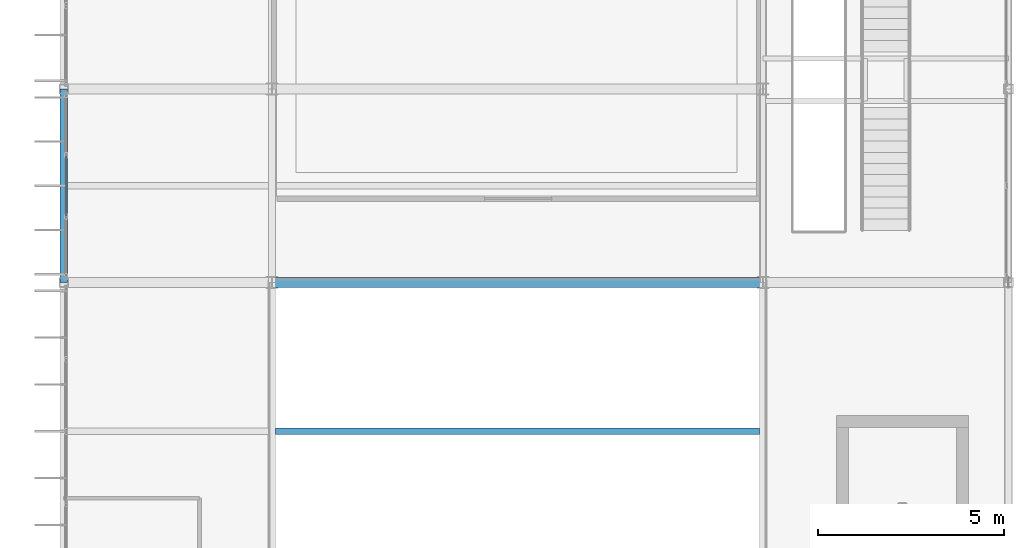
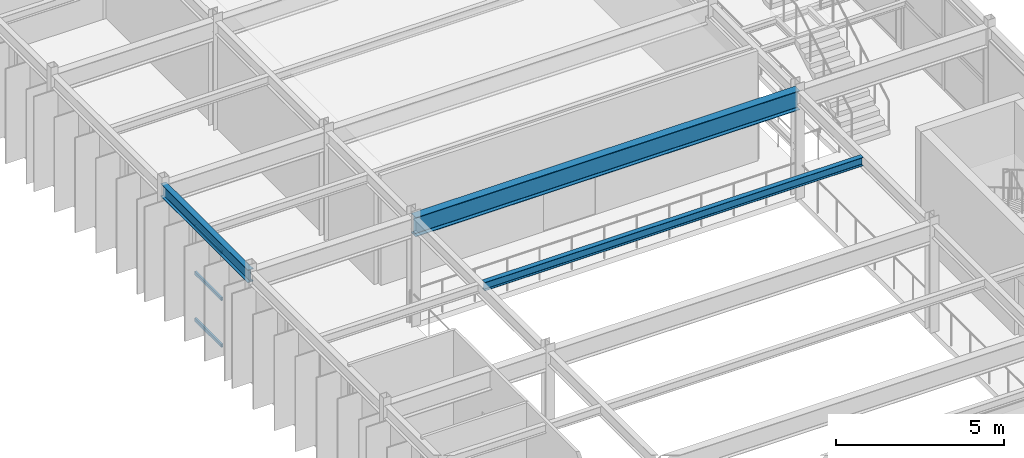
# One storey, part 37 of 147: 3 beams, 3 members, 1 element without a shape of its own.
"""IFC4 building model written with IfcOpenShell, lengths in metres."""

from ifc_helpers import new_model, si_unit, direction, frame, origin, origin_2d, place, context, subcontext, project, spatial, hollow_rectangle, i_section, extrude, material, material_profile, profile_set, type_object, element, aggregate, save


model = new_model("IFC4")

# Units and contexts
model_context = context("Model", 3, precision=1e-05, world=origin(), true_north=direction((0.0, 1.0)))
body_context = subcontext(model_context, "Body", "Model", "MODEL_VIEW")
ifc_project = project(units=[si_unit("LENGTHUNIT", "METRE"), si_unit("AREAUNIT", "SQUARE_METRE"), si_unit("VOLUMEUNIT", "CUBIC_METRE"), si_unit("PLANEANGLEUNIT", "RADIAN"), si_unit("MASSUNIT", "GRAM", prefix="KILO")], contexts=[model_context])

# Site, building, storey
site_placement = place(None, origin())
site = spatial("IfcSite", under=ifc_project, at=site_placement, CompositionType="ELEMENT")
building_placement = place(site_placement, origin())
building = spatial("IfcBuilding", under=site, at=building_placement, Name="Karori Crest Natural Sciences Institute", CompositionType="ELEMENT")
storey_placement = place(building_placement, frame((0.0, 0.0, 9.10009765625)))
storey = spatial("IfcBuildingStorey", under=building, at=storey_placement, Name="L02", CompositionType="ELEMENT", Elevation=9.10009765625)

# Beams
ifc_material_1 = material(Name="Structural steel AS/NZS 3679.1 Grade 350", Category="steel")
ifc_material_profile_1 = material_profile(ifc_material_1, i_section(OverallWidth=0.27490234375, OverallDepth=0.699951171875, WebThickness=0.010009765625, FlangeThickness=0.02001953125, FilletRadius=0.013916015625, at=origin_2d()), Name="700WB150")
ifc_profile_set_1 = profile_set([ifc_material_profile_1], Name="Structural steel AS/NZS 3679.1 Grade 350")
beam_type_1 = type_object("IfcBeamType", Name="BT-03", PredefinedType="BEAM", material=ifc_profile_set_1)
beam_1_placement = place(storey_placement, frame((7.39990234375, 55.0, 3.56982421875), z_axis=(1.0, 0.0, 0.0), x_axis=(0.0, 1.0, 0.0)))
element("IfcBeam", 1, at=beam_1_placement, inside=storey, type_object=beam_type_1, Name="Beam B-1086", PredefinedType="BEAM", context=body_context, shape_type="SweptSolid", body=[
    extrude(i_section(OverallWidth=0.27490234375, OverallDepth=0.699951171875, WebThickness=0.010009765625, FlangeThickness=0.02001953125, FilletRadius=0.013916015625, at=origin_2d()), origin(), (0.0, 0.0, 1.0), 13.2001953125),
])
ifc_material_profile_2 = material_profile(ifc_material_1, i_section(OverallWidth=0.19091796875, OverallDepth=0.4599609375, WebThickness=0.010009765625, FlangeThickness=0.01611328125, FilletRadius=0.010986328125, at=origin_2d()), Name="460UB82.1")
ifc_profile_set_2 = profile_set([ifc_material_profile_2], Name="Structural steel AS/NZS 3679.1 Grade 350")
beam_type_2 = type_object("IfcBeamType", Name="BT-06-EL", PredefinedType="BEAM", material=ifc_profile_set_2)
beam_2_placement = place(storey_placement, frame((1.800048828125, 55.0, 3.68994140625), z_axis=(0.0, 1.0, 0.0), x_axis=(-1.0, 0.0, 0.0)))
element("IfcBeam", 2, at=beam_2_placement, inside=storey, type_object=beam_type_2, Name="Beam B-1100", PredefinedType="BEAM", context=body_context, shape_type="SweptSolid", body=[
    extrude(i_section(OverallWidth=0.19091796875, OverallDepth=0.4599609375, WebThickness=0.010009765625, FlangeThickness=0.01611328125, FilletRadius=0.010986328125, at=origin_2d()), origin(), (0.0, 0.0, 1.0), 5.199951171875),
])
ifc_material_profile_3 = material_profile(ifc_material_1, i_section(OverallWidth=0.166015625, OverallDepth=0.306884765625, WebThickness=0.006591796875, FlangeThickness=0.01171875, FilletRadius=0.010986328125, at=origin_2d()), Name="310UB46.2")
ifc_profile_set_3 = profile_set([ifc_material_profile_3], Name="Structural steel AS/NZS 3679.1 Grade 350")
beam_type_3 = type_object("IfcBeamType", Name="BT-09", PredefinedType="BEAM", material=ifc_profile_set_3)
beam_3_placement = place(storey_placement, frame((7.49560546875, 51.0, 3.766357421875), z_axis=(1.0, 0.0, 0.0), x_axis=(0.0, 1.0, 0.0)))
element("IfcBeam", 3, at=beam_3_placement, inside=storey, type_object=beam_type_3, Name="Beam B-1132", PredefinedType="BEAM", context=body_context, shape_type="SweptSolid", body=[
    extrude(i_section(OverallWidth=0.166015625, OverallDepth=0.306884765625, WebThickness=0.006591796875, FlangeThickness=0.01171875, FilletRadius=0.010986328125, at=origin_2d()), origin(), (0.0, 0.0, 1.0), 13.0087890625),
])

# Curtain wall, members
ifc_material_2 = material(Name="Anodised architectural aluminium 6063-T6", Category="aluminium")
curtain_wall_type = type_object("IfcCurtainWallType", Name="CWT-17", PredefinedType="NOTDEFINED", material=ifc_material_2)
curtain_wall_placement = place(storey_placement, origin())
curtain_wall = element("IfcCurtainWall", 4, at=curtain_wall_placement, inside=storey, type_object=curtain_wall_type, Name="Curtain wall CW-0272", PredefinedType="NOTDEFINED")
ifc_material_profile_4 = material_profile(ifc_material_2, hollow_rectangle(XDim=0.06005859375, YDim=0.1201171875, WallThickness=0.00390625, at=origin_2d()), Name="CWT120x60x4")
ifc_profile_set_4 = profile_set([ifc_material_profile_4], Name="Anodised architectural aluminium 6063-T6")
member_type = type_object("IfcMemberType", Name="CWT-TR1", PredefinedType="USERDEFINED", material=ifc_profile_set_4)
member_1_placement = place(storey_placement, frame((1.860107421875, 56.806884765625, 0.02978515625), z_axis=(0.0, 1.0, 0.0), x_axis=(-1.0, 0.0, 0.0)))
member_1 = element("IfcMember", 5, at=member_1_placement, type_object=member_type, Name="CW-0272 transom 2.1", ObjectType="TRANSOM", PredefinedType="USERDEFINED", context=body_context, shape_type="SweptSolid", body=[
    extrude(hollow_rectangle(XDim=0.06005859375, YDim=0.1201171875, WallThickness=0.00390625, at=origin_2d()), origin(), (0.0, 0.0, 1.0), 1.586181640625),
])
member_2_placement = place(storey_placement, frame((1.860107421875, 56.806884765625, 1.722412109375), z_axis=(0.0, 1.0, 0.0), x_axis=(-1.0, 0.0, 0.0)))
member_2 = element("IfcMember", 6, at=member_2_placement, type_object=member_type, Name="CW-0272 transom 2.2", ObjectType="TRANSOM", PredefinedType="USERDEFINED", context=body_context, shape_type="SweptSolid", body=[
    extrude(hollow_rectangle(XDim=0.06005859375, YDim=0.1201171875, WallThickness=0.00390625, at=origin_2d()), origin(), (0.0, 0.0, 1.0), 1.586181640625),
])
member_3_placement = place(storey_placement, frame((1.860107421875, 56.806884765625, 3.414794921875), z_axis=(0.0, 1.0, 0.0), x_axis=(-1.0, 0.0, 0.0)))
member_3 = element("IfcMember", 7, at=member_3_placement, type_object=member_type, Name="CW-0272 transom 2.3", ObjectType="TRANSOM", PredefinedType="USERDEFINED", context=body_context, shape_type="SweptSolid", body=[
    extrude(hollow_rectangle(XDim=0.06005859375, YDim=0.1201171875, WallThickness=0.00390625, at=origin_2d()), origin(), (0.0, 0.0, 1.0), 1.586181640625),
])
aggregate(curtain_wall, [member_1, member_2, member_3])

save(model, "model.ifc")
